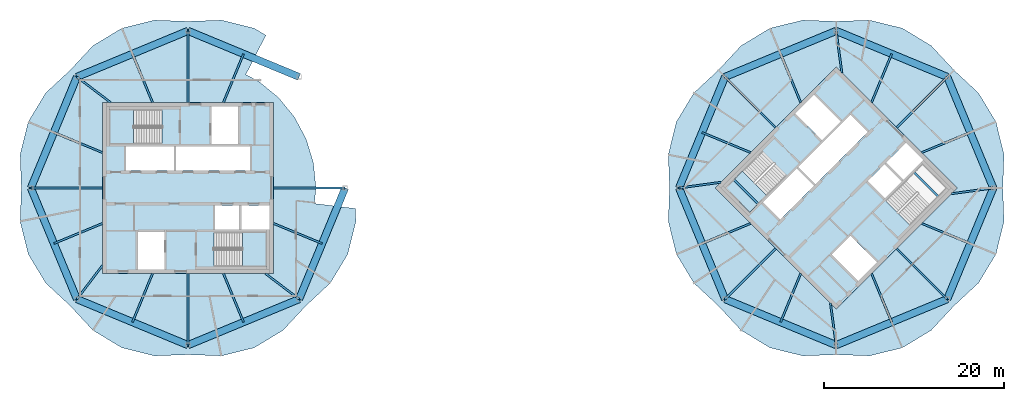
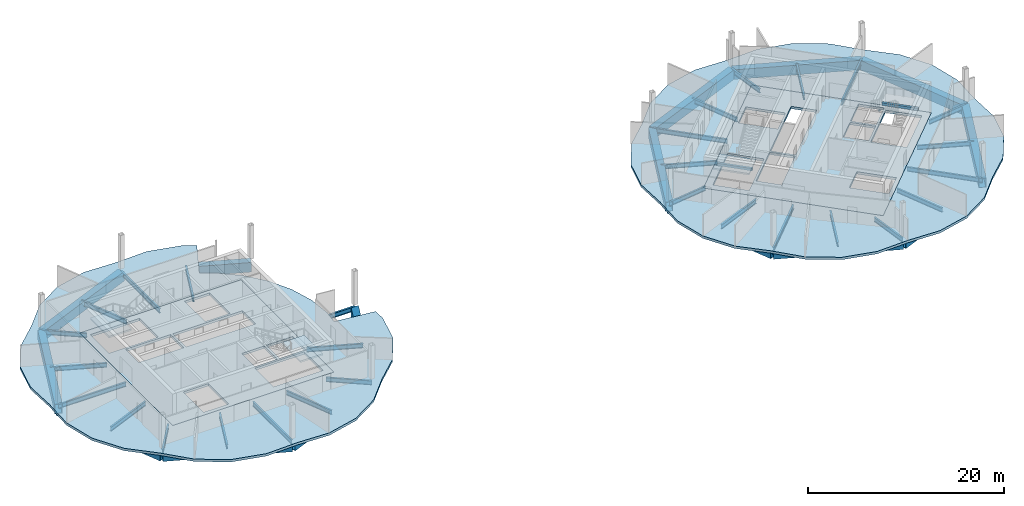
# One storey, part 3 of 11: 47 beams, 7 slabs, 3 elements without a shape of their own.
"""IFC4 building model written with IfcOpenShell, lengths in metres."""

import ifcopenshell
import ifcopenshell.guid

model = None  # the IFC model being written
_history = None  # IfcOwnerHistory: only IFC2X3 demands one
_inside = {}  # id of a spatial element -> (the spatial element, [elements in it])
_under = {}  # id of a project, library or spatial element -> (it, [spatial elements below it])
_declared = {}  # id of a project -> (the project, [libraries it declares])
_typed = {}  # id of a type object -> (the type object, [elements of that type])
_made_of = {}  # id of a material, layer set ... -> (it, [elements and type objects made of it])


def new_model(schema):
    """Start an empty IFC model of exactly this schema.

    Asked for "IFC4X3", IfcOpenShell would pick the latest addendum, in which some entities
    have other attributes; the version numbers below select the first issue.
    IFC2X3 requires an IfcOwnerHistory on every rooted entity: one is made here for all.
    """
    global model, _history
    if schema == "IFC4X3":
        model = ifcopenshell.file(schema_version=(4, 3, 0, 0))
    else:
        model = ifcopenshell.file(schema=schema)
    _inside.clear()
    _under.clear()
    _declared.clear()
    _typed.clear()
    _made_of.clear()
    _history = None
    if model.schema == "IFC2X3":
        org = make("IfcOrganization", Name="unknown")
        user = make(
            "IfcPersonAndOrganization",
            ThePerson=make("IfcPerson", FamilyName="unknown"),
            TheOrganization=org,
        )
        app = make(
            "IfcApplication",
            ApplicationDeveloper=org,
            Version="unknown",
            ApplicationFullName="unknown",
            ApplicationIdentifier="unknown",
        )
        _history = make(
            "IfcOwnerHistory",
            OwningUser=user,
            OwningApplication=app,
            ChangeAction="ADDED",
            CreationDate=0,
        )
    return model


def make(cls, **values):
    """One entity of the class cls with the attributes given. An attribute that is None is left unset."""
    return model.create_entity(
        cls, **{name: value for name, value in values.items() if value is not None}
    )


def rooted(cls, **values):
    """An entity with a GlobalId (a new one), such as an element, a storey or a relation."""
    return make(cls, GlobalId=ifcopenshell.guid.new(), OwnerHistory=_history, **values)


def si_unit(unit_type, name, prefix=None):
    """IfcSIUnit, for example si_unit("LENGTHUNIT", "METRE", prefix="MILLI")."""
    return make("IfcSIUnit", UnitType=unit_type, Prefix=prefix, Name=name)


def assignment(units):
    """IfcUnitAssignment: the units of a project."""
    return None if units is None else make("IfcUnitAssignment", Units=units)


def point(xyz):
    """IfcCartesianPoint."""
    return None if xyz is None else make("IfcCartesianPoint", Coordinates=xyz)


def direction(xyz):
    """IfcDirection."""
    return None if xyz is None else make("IfcDirection", DirectionRatios=xyz)


def frame(location, z_axis=None, x_axis=None):
    """IfcAxis2Placement3D, a coordinate frame: its origin and axes. An axis left out is left unset."""
    return make(
        "IfcAxis2Placement3D",
        Location=point(location),
        Axis=direction(z_axis),
        RefDirection=direction(x_axis),
    )


def frame_2d(location, x_axis=None):
    """IfcAxis2Placement2D, a coordinate frame in the plane: its origin and x axis."""
    return make(
        "IfcAxis2Placement2D", Location=point(location), RefDirection=direction(x_axis)
    )


def origin():
    """The frame at (0, 0, 0) with its axes left unset."""
    return frame((0.0, 0.0, 0.0))


def origin_2d():
    """The frame at (0, 0) in the plane with its x axis left unset."""
    return frame_2d((0.0, 0.0))


def place(relative_to, where):
    """IfcLocalPlacement: puts the frame where relative to a parent placement (None: the world)."""
    return make(
        "IfcLocalPlacement", PlacementRelTo=relative_to, RelativePlacement=where
    )


def context(
    kind, dimensions, precision=None, world=None, true_north=None, identifier=None
):
    """IfcGeometricRepresentationContext, for example the 3D "Model" context."""
    return make(
        "IfcGeometricRepresentationContext",
        ContextIdentifier=identifier,
        ContextType=kind,
        CoordinateSpaceDimension=dimensions,
        Precision=precision,
        WorldCoordinateSystem=world,
        TrueNorth=true_north,
    )


def subcontext(parent, identifier, kind, view, scale=None):
    """IfcGeometricRepresentationSubContext, for example "Body" below "Model"."""
    return make(
        "IfcGeometricRepresentationSubContext",
        ContextIdentifier=identifier,
        ContextType=kind,
        ParentContext=parent,
        TargetScale=scale,
        TargetView=view,
    )


def project(units=None, contexts=None):
    """IfcProject with its units and contexts."""
    return rooted(
        "IfcProject",
        Name="project",
        RepresentationContexts=contexts,
        UnitsInContext=assignment(units),
    )


def spatial(cls, under=None, at=None, **own):
    """A site, building, storey or space (cls), placed at a placement, below another one or the project."""
    s = rooted(cls, ObjectPlacement=at, **own)
    if under is not None:
        _under.setdefault(under.id(), (under, []))[1].append(s)
    return s


def polyline(points):
    """IfcPolyline through the points."""
    return make("IfcPolyline", Points=[point(p) for p in points])


def profile(cls, at=None, kind="AREA", **sizes):
    """A parametric profile (cls). Its sizes go by their IFC names, for example OverallWidth=200.0."""
    return make(cls, ProfileType=kind, Position=at, **sizes)


def rectangle(**sizes):
    """IfcRectangleProfileDef."""
    return profile("IfcRectangleProfileDef", **sizes)


def hollow_rectangle(**sizes):
    """IfcRectangleHollowProfileDef."""
    return profile("IfcRectangleHollowProfileDef", **sizes)


def i_section(**sizes):
    """IfcIShapeProfileDef."""
    return profile("IfcIShapeProfileDef", **sizes)


def outline(outer, holes=None, kind="AREA"):
    """IfcArbitraryClosedProfileDef: a profile drawn as a closed curve; with holes, ...WithVoids."""
    if holes is None:
        return make("IfcArbitraryClosedProfileDef", ProfileType=kind, OuterCurve=outer)
    return make(
        "IfcArbitraryProfileDefWithVoids",
        ProfileType=kind,
        OuterCurve=outer,
        InnerCurves=holes,
    )


def extrude(swept, where, along, depth):
    """IfcExtrudedAreaSolid: the profile swept, set in the frame where, extruded along a direction by depth."""
    return make(
        "IfcExtrudedAreaSolid",
        SweptArea=swept,
        Position=where,
        ExtrudedDirection=direction(along),
        Depth=depth,
    )


def shape(context_of_items, identifier, shape_type, items):
    """IfcShapeRepresentation: the items that make up one representation, for example the "Body"."""
    return make(
        "IfcShapeRepresentation",
        ContextOfItems=context_of_items,
        RepresentationIdentifier=identifier,
        RepresentationType=shape_type,
        Items=items,
    )


def material(Name=None, Category=None):
    """IfcMaterial."""
    return make("IfcMaterial", Name=Name, Category=Category)


def layer(
    of_material, thickness, ventilated=None, Name=None, Category=None, Priority=None
):
    """IfcMaterialLayer: one layer of a wall or slab, of a material (None: an air gap)."""
    return make(
        "IfcMaterialLayer",
        Material=of_material,
        LayerThickness=thickness,
        IsVentilated=ventilated,
        Name=Name,
        Category=Category,
        Priority=Priority,
    )


def layer_set(layers, Name=None):
    """IfcMaterialLayerSet."""
    return make("IfcMaterialLayerSet", MaterialLayers=layers, LayerSetName=Name)


def material_profile(
    of_material, cross_section, Name=None, Category=None, Priority=None
):
    """IfcMaterialProfile: a cross section and its material."""
    return make(
        "IfcMaterialProfile",
        Name=Name,
        Material=of_material,
        Profile=cross_section,
        Priority=Priority,
        Category=Category,
    )


def profile_set(profiles, Name=None, composite=None):
    """IfcMaterialProfileSet."""
    return make(
        "IfcMaterialProfileSet",
        Name=Name,
        MaterialProfiles=profiles,
        CompositeProfile=composite,
    )


def made_of(thing, what):
    """Note that an element or type object is made of a material, layer set ...; save() writes the relation."""
    if what is not None:
        _made_of.setdefault(what.id(), (what, []))[1].append(thing)
    return thing


def type_object(cls, material=None, **own):
    """A type object (cls), such as IfcWallType, which elements share."""
    return made_of(rooted(cls, **own), material)


def element(
    cls,
    number,
    at=None,
    inside=None,
    cuts=None,
    type_object=None,
    material=None,
    context=None,
    identifier="Body",
    shape_type=None,
    held_by="IfcProductDefinitionShape",
    body=None,
    shapes=None,
    **own,
):
    """One element of the class cls, such as IfcWall. Its Tag is "e" and its number.

    at: its placement. inside: the storey or other place that contains it. cuts: it is an
    opening in that element (IfcRelVoidsElement). A single representation is given by context,
    identifier, shape_type and body (its items); several are given by shapes. held_by: the class
    of the entity that holds the representations. save() writes the other relations.
    """
    e = rooted(cls, Tag="e%d" % number, ObjectPlacement=at, **own)
    if body is not None:
        shapes = [shape(context, identifier, shape_type, body)]
    if shapes is not None:
        e.Representation = make(held_by, Representations=shapes)
    if inside is not None:
        _inside.setdefault(inside.id(), (inside, []))[1].append(e)
    if cuts is not None:
        rooted(
            "IfcRelVoidsElement", RelatingBuildingElement=cuts, RelatedOpeningElement=e
        )
    if type_object is not None:
        _typed.setdefault(type_object.id(), (type_object, []))[1].append(e)
    return made_of(e, material)


def aggregate(whole, parts):
    """IfcRelAggregates: a whole, such as a stair, and the parts it consists of."""
    return rooted("IfcRelAggregates", RelatingObject=whole, RelatedObjects=parts)


def save(model, path):
    """Write the relations noted so far, then the file.

    IfcRelAggregates (storeys below a building ...), IfcRelContainedInSpatialStructure (elements
    in a storey), IfcRelDefinesByType, IfcRelAssociatesMaterial and IfcRelDeclares: one each for
    every whole, place, type object, material and project.
    """
    for whole, parts in _under.values():
        aggregate(whole, parts)
    for where, things in _inside.values():
        rooted(
            "IfcRelContainedInSpatialStructure",
            RelatedElements=things,
            RelatingStructure=where,
        )
    for kind, things in _typed.values():
        rooted("IfcRelDefinesByType", RelatedObjects=things, RelatingType=kind)
    for what, things in _made_of.values():
        rooted("IfcRelAssociatesMaterial", RelatedObjects=things, RelatingMaterial=what)
    for by, libraries in _declared.values():
        rooted("IfcRelDeclares", RelatingContext=by, RelatedDefinitions=libraries)
    model.write(path)


model = new_model("IFC4")

# Units and contexts
model_context = context("Model", 3, precision=1e-05, world=origin(), true_north=direction((0.0, 1.0)))
body_context = subcontext(model_context, "Body", "Model", "MODEL_VIEW")
ifc_project = project(units=[si_unit("LENGTHUNIT", "METRE"), si_unit("AREAUNIT", "SQUARE_METRE"), si_unit("VOLUMEUNIT", "CUBIC_METRE"), si_unit("PLANEANGLEUNIT", "RADIAN"), si_unit("MASSUNIT", "GRAM", prefix="KILO")], contexts=[model_context])

# Site, building, storey
site_placement = place(None, origin())
site = spatial("IfcSite", under=ifc_project, at=site_placement, CompositionType="ELEMENT")
building_placement = place(site_placement, origin())
building = spatial("IfcBuilding", under=site, at=building_placement, Name="Ogive Gate Towers", CompositionType="ELEMENT")
storey_placement = place(building_placement, frame((0.0, 0.0, 281.39990234375)))
storey = spatial("IfcBuildingStorey", under=building, at=storey_placement, Name="L66", CompositionType="ELEMENT", Elevation=281.39990234375)

# Beams
ifc_material_1 = material(Name="Steel SM460", Category="steel")
ifc_material_profile_1 = material_profile(ifc_material_1, hollow_rectangle(XDim=0.800048828125, YDim=1.199951171875, WallThickness=0.050048828125, at=origin_2d()), Name="BX 1200x800x50")
ifc_profile_set_1 = profile_set([ifc_material_profile_1], Name="Steel SM460")
beam_type_1 = type_object("IfcBeamType", Name="Edge girder BX 1200x800x50", PredefinedType="BEAM", material=ifc_profile_set_1)
for number, where, z_axis, x_axis, name in (
    (1, (-48.342529296875, -12.342529296875, -0.89990234375), (0.923876732551, -0.382690191996, 0.0), (0.382690191996, 0.923876732551, 0.0), "T1/L66/SBM015"),
    (2, (-36.0, -17.455078125, -0.89990234375), (0.923876732551, 0.382690191996, 0.0), (-0.382690191996, 0.923876732551, 0.0), "T1/L66/SBM016"),
    (3, (-23.657470703125, -12.342529296875, -0.89990234375), (0.382690191996, 0.923876732551, 0.0), (-0.923876732551, 0.382690191996, 0.0), "T1/L66/SBM017"),
    (4, (-23.657470703125, 12.342529296875, -0.89990234375), (-0.923876732551, 0.382690191996, 0.0), (-0.382690191996, -0.923876732551, 0.0), "T1/L66/SBM018"),
    (5, (-36.0, 17.455078125, -0.89990234375), (-0.923876732551, -0.382690191996, 0.0), (0.382690191996, -0.923876732551, 0.0), "T1/L66/SBM019"),
    (6, (-48.342529296875, 12.342529296875, -0.89990234375), (-0.382690191996, -0.923876732551, 0.0), (0.923876732551, -0.382690191996, 0.0), "T1/L66/SBM020"),
    (7, (-53.455078125, 0.0, -0.89990234375), (0.382690191996, -0.923876732551, 0.0), (0.923876732551, 0.382690191996, 0.0), "T1/L66/SBM021"),
    (8, (23.657470703125, -12.342529296875, -0.89990234375), (0.923876732551, -0.382690191996, 0.0), (0.382690191996, 0.923876732551, 0.0), "T2/L66/SBM017"),
    (9, (36.0, -17.455078125, -0.89990234375), (0.923876732551, 0.382690191996, 0.0), (-0.382690191996, 0.923876732551, 0.0), "T2/L66/SBM018"),
    (10, (48.342529296875, -12.342529296875, -0.89990234375), (0.382690191996, 0.923876732551, 0.0), (-0.923876732551, 0.382690191996, 0.0), "T2/L66/SBM019"),
    (11, (53.455078125, 0.0, -0.89990234375), (-0.382690191996, 0.923876732551, 0.0), (-0.923876732551, -0.382690191996, 0.0), "T2/L66/SBM020"),
    (12, (48.342529296875, 12.342529296875, -0.89990234375), (-0.923876732551, 0.382690191996, 0.0), (-0.382690191996, -0.923876732551, 0.0), "T2/L66/SBM021"),
    (13, (36.0, 17.455078125, -0.89990234375), (-0.923876732551, -0.382690191996, 0.0), (0.382690191996, -0.923876732551, 0.0), "T2/L66/SBM022"),
    (14, (23.657470703125, 12.342529296875, -0.89990234375), (-0.382690191996, -0.923876732551, 0.0), (0.923876732551, -0.382690191996, 0.0), "T2/L66/SBM023"),
    (15, (18.544921875, 0.0, -0.89990234375), (0.382690191996, -0.923876732551, 0.0), (0.923876732551, 0.382690191996, 0.0), "T2/L66/SBM024"),
):
    element("IfcBeam", number, at=place(storey_placement, frame(where, z_axis=z_axis, x_axis=x_axis)), inside=storey, type_object=beam_type_1, Name=name, PredefinedType="BEAM", context=body_context, shape_type="SweptSolid", body=[
        extrude(hollow_rectangle(XDim=0.800048828125, YDim=1.199951171875, WallThickness=0.050048828125, at=origin_2d()), origin(), (0.0, 0.0, 1.0), 13.359619140625),
    ])
ifc_material_2 = material(Name="Concrete C40/50", Category="concrete")
ifc_material_profile_2 = material_profile(ifc_material_2, rectangle(XDim=0.25, YDim=0.300048828125, at=origin_2d()), Name="RC 250x300")
ifc_profile_set_2 = profile_set([ifc_material_profile_2], Name="Concrete C40/50")
beam_type_2 = type_object("IfcBeamType", Name="Landing bearer RC 250x300", PredefinedType="BEAM", material=ifc_profile_set_2)
for number, where, z_axis, x_axis, name in (
    (16, (24.64111328125, 0.94482421875, 1.75), (0.707138693938, -0.707074866995, 0.0), (0.707074866995, 0.707138693938, 0.0), "T2 L66 stair 1 landing bearer 1"),
    (17, (47.35888671875, -0.94482421875, 1.75), (-0.707138693938, 0.707074866995, 0.0), (-0.707074866995, -0.707138693938, 0.0), "T2 L66 stair 2 landing bearer 1"),
):
    element("IfcBeam", number, at=place(storey_placement, frame(where, z_axis=z_axis, x_axis=x_axis)), inside=storey, type_object=beam_type_2, Name=name, PredefinedType="BEAM", context=body_context, shape_type="SweptSolid", body=[
        extrude(rectangle(XDim=0.25, YDim=0.300048828125, at=origin_2d()), origin(), (0.0, 0.0, 1.0), 3.824951171875),
    ])
ifc_material_3 = material(Name="Steel SM355", Category="steel")
ifc_material_profile_3 = material_profile(ifc_material_3, i_section(OverallWidth=0.2099609375, OverallDepth=0.550048828125, WebThickness=0.010986328125, FlangeThickness=0.01708984375, FilletRadius=0.02392578125, at=origin_2d()), Name="IPE 550")
ifc_profile_set_3 = profile_set([ifc_material_profile_3], Name="Steel SM355")
beam_type_3 = type_object("IfcBeamType", Name="Radial floor beam IPE 550", PredefinedType="BEAM", material=ifc_profile_set_3)
beam_1_placement = place(storey_placement, frame((-45.5, -8.60009765625, -0.574951171875), z_axis=(-0.604851417257, -0.796338347087, 0.0), x_axis=(0.796338347087, -0.604851417257, 0.0)))
element("IfcBeam", 18, at=beam_1_placement, inside=storey, type_object=beam_type_3, Name="T1/L66/SBM001", PredefinedType="BEAM", context=body_context, shape_type="SweptSolid", body=[
    extrude(i_section(OverallWidth=0.2099609375, OverallDepth=0.550048828125, WebThickness=0.010986328125, FlangeThickness=0.01708984375, FilletRadius=0.02392578125, at=origin_2d()), origin(), (0.0, 0.0, 1.0), 4.699462890625),
])
beam_2_placement = place(storey_placement, frame((-39.93505859375, -9.5, -0.574951171875), z_axis=(-0.382701102209, -0.923872213225, 0.0), x_axis=(0.923872213225, -0.382701102209, 0.0)))
element("IfcBeam", 19, at=beam_2_placement, inside=storey, type_object=beam_type_3, Name="T1/L66/SBM002", PredefinedType="BEAM", context=body_context, shape_type="SweptSolid", body=[
    extrude(i_section(OverallWidth=0.2099609375, OverallDepth=0.550048828125, WebThickness=0.010986328125, FlangeThickness=0.01708984375, FilletRadius=0.02392578125, at=origin_2d()), origin(), (0.0, 0.0, 1.0), 5.843505859375),
])
beam_3_placement = place(storey_placement, frame((-36.0, -9.5, -0.574951171875), z_axis=(0.0, -1.0, 0.0), x_axis=(1.0, 0.0, 0.0)))
element("IfcBeam", 20, at=beam_3_placement, inside=storey, type_object=beam_type_3, Name="T1/L66/SBM003", PredefinedType="BEAM", context=body_context, shape_type="SweptSolid", body=[
    extrude(i_section(OverallWidth=0.2099609375, OverallDepth=0.550048828125, WebThickness=0.010986328125, FlangeThickness=0.01708984375, FilletRadius=0.02392578125, at=origin_2d()), origin(), (0.0, 0.0, 1.0), 7.955078125),
])
beam_4_placement = place(storey_placement, frame((-32.06494140625, -9.5, -0.574951171875), z_axis=(0.382701102209, -0.923872213225, 0.0), x_axis=(0.923872213225, 0.382701102209, 0.0)))
element("IfcBeam", 21, at=beam_4_placement, inside=storey, type_object=beam_type_3, Name="T1/L66/SBM004", PredefinedType="BEAM", context=body_context, shape_type="SweptSolid", body=[
    extrude(i_section(OverallWidth=0.2099609375, OverallDepth=0.550048828125, WebThickness=0.010986328125, FlangeThickness=0.01708984375, FilletRadius=0.02392578125, at=origin_2d()), origin(), (0.0, 0.0, 1.0), 5.843505859375),
])
beam_5_placement = place(storey_placement, frame((-27.39990234375, -9.5, -0.574951171875), z_axis=(0.796338347087, -0.604851417257, 0.0), x_axis=(0.604851417257, 0.796338347087, 0.0)))
element("IfcBeam", 22, at=beam_5_placement, inside=storey, type_object=beam_type_3, Name="T1/L66/SBM005", PredefinedType="BEAM", context=body_context, shape_type="SweptSolid", body=[
    extrude(i_section(OverallWidth=0.2099609375, OverallDepth=0.550048828125, WebThickness=0.010986328125, FlangeThickness=0.01708984375, FilletRadius=0.02392578125, at=origin_2d()), origin(), (0.0, 0.0, 1.0), 4.699462890625),
])
beam_6_placement = place(storey_placement, frame((-26.5, -3.93505859375, -0.574951171875), z_axis=(0.923872213225, -0.382701102209, 0.0), x_axis=(0.382701102209, 0.923872213225, 0.0)))
element("IfcBeam", 23, at=beam_6_placement, inside=storey, type_object=beam_type_3, Name="T1/L66/SBM006", PredefinedType="BEAM", context=body_context, shape_type="SweptSolid", body=[
    extrude(i_section(OverallWidth=0.2099609375, OverallDepth=0.550048828125, WebThickness=0.010986328125, FlangeThickness=0.01708984375, FilletRadius=0.02392578125, at=origin_2d()), origin(), (0.0, 0.0, 1.0), 5.843505859375),
])
beam_7_placement = place(storey_placement, frame((-26.5, 0.0, -0.574951171875), z_axis=(1.0, 0.0, 0.0), x_axis=(0.0, 1.0, 0.0)))
element("IfcBeam", 24, at=beam_7_placement, inside=storey, type_object=beam_type_3, Name="T1/L66/SBM007", PredefinedType="BEAM", context=body_context, shape_type="SweptSolid", body=[
    extrude(i_section(OverallWidth=0.2099609375, OverallDepth=0.550048828125, WebThickness=0.010986328125, FlangeThickness=0.01708984375, FilletRadius=0.02392578125, at=origin_2d()), origin(), (0.0, 0.0, 1.0), 7.955078125),
])
beam_8_placement = place(storey_placement, frame((-32.06494140625, 9.5, -0.574951171875), z_axis=(0.382701102209, 0.923872213225, 0.0), x_axis=(-0.923872213225, 0.382701102209, 0.0)))
element("IfcBeam", 25, at=beam_8_placement, inside=storey, type_object=beam_type_3, Name="T1/L66/SBM008", PredefinedType="BEAM", context=body_context, shape_type="SweptSolid", body=[
    extrude(i_section(OverallWidth=0.2099609375, OverallDepth=0.550048828125, WebThickness=0.010986328125, FlangeThickness=0.01708984375, FilletRadius=0.02392578125, at=origin_2d()), origin(), (0.0, 0.0, 1.0), 5.843505859375),
])
beam_9_placement = place(storey_placement, frame((-36.0, 9.5, -0.574951171875), z_axis=(0.0, 1.0, 0.0), x_axis=(-1.0, 0.0, 0.0)))
element("IfcBeam", 26, at=beam_9_placement, inside=storey, type_object=beam_type_3, Name="T1/L66/SBM009", PredefinedType="BEAM", context=body_context, shape_type="SweptSolid", body=[
    extrude(i_section(OverallWidth=0.2099609375, OverallDepth=0.550048828125, WebThickness=0.010986328125, FlangeThickness=0.01708984375, FilletRadius=0.02392578125, at=origin_2d()), origin(), (0.0, 0.0, 1.0), 7.955078125),
])
beam_10_placement = place(storey_placement, frame((-39.93505859375, 9.5, -0.574951171875), z_axis=(-0.382701102209, 0.923872213225, 0.0), x_axis=(-0.923872213225, -0.382701102209, 0.0)))
element("IfcBeam", 27, at=beam_10_placement, inside=storey, type_object=beam_type_3, Name="T1/L66/SBM010", PredefinedType="BEAM", context=body_context, shape_type="SweptSolid", body=[
    extrude(i_section(OverallWidth=0.2099609375, OverallDepth=0.550048828125, WebThickness=0.010986328125, FlangeThickness=0.01708984375, FilletRadius=0.02392578125, at=origin_2d()), origin(), (0.0, 0.0, 1.0), 5.843505859375),
])
beam_11_placement = place(storey_placement, frame((-44.60009765625, 9.5, -0.574951171875), z_axis=(-0.796338347087, 0.604851417257, 0.0), x_axis=(-0.604851417257, -0.796338347087, 0.0)))
element("IfcBeam", 28, at=beam_11_placement, inside=storey, type_object=beam_type_3, Name="T1/L66/SBM011", PredefinedType="BEAM", context=body_context, shape_type="SweptSolid", body=[
    extrude(i_section(OverallWidth=0.2099609375, OverallDepth=0.550048828125, WebThickness=0.010986328125, FlangeThickness=0.01708984375, FilletRadius=0.02392578125, at=origin_2d()), origin(), (0.0, 0.0, 1.0), 4.699462890625),
])
beam_12_placement = place(storey_placement, frame((-45.5, 3.93505859375, -0.574951171875), z_axis=(-0.923872213225, 0.382701102209, 0.0), x_axis=(-0.382701102209, -0.923872213225, 0.0)))
element("IfcBeam", 29, at=beam_12_placement, inside=storey, type_object=beam_type_3, Name="T1/L66/SBM012", PredefinedType="BEAM", context=body_context, shape_type="SweptSolid", body=[
    extrude(i_section(OverallWidth=0.2099609375, OverallDepth=0.550048828125, WebThickness=0.010986328125, FlangeThickness=0.01708984375, FilletRadius=0.02392578125, at=origin_2d()), origin(), (0.0, 0.0, 1.0), 5.843505859375),
])
beam_13_placement = place(storey_placement, frame((-45.5, 0.0, -0.574951171875), z_axis=(-1.0, 0.0, 0.0), x_axis=(0.0, -1.0, 0.0)))
element("IfcBeam", 30, at=beam_13_placement, inside=storey, type_object=beam_type_3, Name="T1/L66/SBM013", PredefinedType="BEAM", context=body_context, shape_type="SweptSolid", body=[
    extrude(i_section(OverallWidth=0.2099609375, OverallDepth=0.550048828125, WebThickness=0.010986328125, FlangeThickness=0.01708984375, FilletRadius=0.02392578125, at=origin_2d()), origin(), (0.0, 0.0, 1.0), 7.955078125),
])
beam_14_placement = place(storey_placement, frame((-45.5, -3.93505859375, -0.574951171875), z_axis=(-0.923872213225, -0.382701102209, 0.0), x_axis=(0.382701102209, -0.923872213225, 0.0)))
element("IfcBeam", 31, at=beam_14_placement, inside=storey, type_object=beam_type_3, Name="T1/L66/SBM014", PredefinedType="BEAM", context=body_context, shape_type="SweptSolid", body=[
    extrude(i_section(OverallWidth=0.2099609375, OverallDepth=0.550048828125, WebThickness=0.010986328125, FlangeThickness=0.01708984375, FilletRadius=0.02392578125, at=origin_2d()), origin(), (0.0, 0.0, 1.0), 5.843505859375),
])
beam_15_placement = place(storey_placement, frame((29.282470703125, -6.717529296875, -0.574951171875), z_axis=(-0.707106781187, -0.707106781187, 0.0), x_axis=(0.707106781187, -0.707106781187, 0.0)))
element("IfcBeam", 32, at=beam_15_placement, inside=storey, type_object=beam_type_3, Name="T2/L66/SBM001", PredefinedType="BEAM", context=body_context, shape_type="SweptSolid", body=[
    extrude(i_section(OverallWidth=0.2099609375, OverallDepth=0.550048828125, WebThickness=0.010986328125, FlangeThickness=0.01708984375, FilletRadius=0.02392578125, at=origin_2d()), origin(), (0.0, 0.0, 1.0), 7.954833984375),
])
beam_16_placement = place(storey_placement, frame((32.06494140625, -9.5, -0.574951171875), z_axis=(-0.382701102209, -0.923872213225, 0.0), x_axis=(0.923872213225, -0.382701102209, 0.0)))
element("IfcBeam", 33, at=beam_16_placement, inside=storey, type_object=beam_type_3, Name="T2/L66/SBM002", PredefinedType="BEAM", context=body_context, shape_type="SweptSolid", body=[
    extrude(i_section(OverallWidth=0.2099609375, OverallDepth=0.550048828125, WebThickness=0.010986328125, FlangeThickness=0.01708984375, FilletRadius=0.02392578125, at=origin_2d()), origin(), (0.0, 0.0, 1.0), 5.843505859375),
])
beam_17_placement = place(storey_placement, frame((35.363525390625, -12.798583984375, -0.574951171875), z_axis=(0.135426145155, -0.99078744401, 0.0), x_axis=(0.99078744401, 0.135426145155, 0.0)))
element("IfcBeam", 34, at=beam_17_placement, inside=storey, type_object=beam_type_3, Name="T2/L66/SBM003", PredefinedType="BEAM", context=body_context, shape_type="SweptSolid", body=[
    extrude(i_section(OverallWidth=0.2099609375, OverallDepth=0.550048828125, WebThickness=0.010986328125, FlangeThickness=0.01708984375, FilletRadius=0.02392578125, at=origin_2d()), origin(), (0.0, 0.0, 1.0), 4.69970703125),
])
beam_18_placement = place(storey_placement, frame((39.93505859375, -9.5, -0.574951171875), z_axis=(0.382701102209, -0.923872213225, 0.0), x_axis=(0.923872213225, 0.382701102209, 0.0)))
element("IfcBeam", 35, at=beam_18_placement, inside=storey, type_object=beam_type_3, Name="T2/L66/SBM004", PredefinedType="BEAM", context=body_context, shape_type="SweptSolid", body=[
    extrude(i_section(OverallWidth=0.2099609375, OverallDepth=0.550048828125, WebThickness=0.010986328125, FlangeThickness=0.01708984375, FilletRadius=0.02392578125, at=origin_2d()), origin(), (0.0, 0.0, 1.0), 5.843505859375),
])
beam_19_placement = place(storey_placement, frame((42.717529296875, -6.717529296875, -0.574951171875), z_axis=(0.707106781187, -0.707106781187, 0.0), x_axis=(0.707106781187, 0.707106781187, 0.0)))
element("IfcBeam", 36, at=beam_19_placement, inside=storey, type_object=beam_type_3, Name="T2/L66/SBM005", PredefinedType="BEAM", context=body_context, shape_type="SweptSolid", body=[
    extrude(i_section(OverallWidth=0.2099609375, OverallDepth=0.550048828125, WebThickness=0.010986328125, FlangeThickness=0.01708984375, FilletRadius=0.02392578125, at=origin_2d()), origin(), (0.0, 0.0, 1.0), 7.954833984375),
])
beam_20_placement = place(storey_placement, frame((45.5, -3.93505859375, -0.574951171875), z_axis=(0.923872213225, -0.382701102209, 0.0), x_axis=(0.382701102209, 0.923872213225, 0.0)))
element("IfcBeam", 37, at=beam_20_placement, inside=storey, type_object=beam_type_3, Name="T2/L66/SBM006", PredefinedType="BEAM", context=body_context, shape_type="SweptSolid", body=[
    extrude(i_section(OverallWidth=0.2099609375, OverallDepth=0.550048828125, WebThickness=0.010986328125, FlangeThickness=0.01708984375, FilletRadius=0.02392578125, at=origin_2d()), origin(), (0.0, 0.0, 1.0), 5.843505859375),
])
beam_21_placement = place(storey_placement, frame((48.798583984375, -0.636474609375, -0.574951171875), z_axis=(0.99078744401, 0.135426145155, 0.0), x_axis=(-0.135426145155, 0.99078744401, 0.0)))
element("IfcBeam", 38, at=beam_21_placement, inside=storey, type_object=beam_type_3, Name="T2/L66/SBM007", PredefinedType="BEAM", context=body_context, shape_type="SweptSolid", body=[
    extrude(i_section(OverallWidth=0.2099609375, OverallDepth=0.550048828125, WebThickness=0.010986328125, FlangeThickness=0.01708984375, FilletRadius=0.02392578125, at=origin_2d()), origin(), (0.0, 0.0, 1.0), 4.69970703125),
])
beam_22_placement = place(storey_placement, frame((45.5, 3.93505859375, -0.574951171875), z_axis=(0.923872213225, 0.382701102209, 0.0), x_axis=(-0.382701102209, 0.923872213225, 0.0)))
element("IfcBeam", 39, at=beam_22_placement, inside=storey, type_object=beam_type_3, Name="T2/L66/SBM008", PredefinedType="BEAM", context=body_context, shape_type="SweptSolid", body=[
    extrude(i_section(OverallWidth=0.2099609375, OverallDepth=0.550048828125, WebThickness=0.010986328125, FlangeThickness=0.01708984375, FilletRadius=0.02392578125, at=origin_2d()), origin(), (0.0, 0.0, 1.0), 5.843505859375),
])
beam_23_placement = place(storey_placement, frame((42.717529296875, 6.717529296875, -0.574951171875), z_axis=(0.707106781187, 0.707106781187, 0.0), x_axis=(-0.707106781187, 0.707106781187, 0.0)))
element("IfcBeam", 40, at=beam_23_placement, inside=storey, type_object=beam_type_3, Name="T2/L66/SBM009", PredefinedType="BEAM", context=body_context, shape_type="SweptSolid", body=[
    extrude(i_section(OverallWidth=0.2099609375, OverallDepth=0.550048828125, WebThickness=0.010986328125, FlangeThickness=0.01708984375, FilletRadius=0.02392578125, at=origin_2d()), origin(), (0.0, 0.0, 1.0), 7.954833984375),
])
beam_24_placement = place(storey_placement, frame((39.93505859375, 9.5, -0.574951171875), z_axis=(0.382701102209, 0.923872213225, 0.0), x_axis=(-0.923872213225, 0.382701102209, 0.0)))
element("IfcBeam", 41, at=beam_24_placement, inside=storey, type_object=beam_type_3, Name="T2/L66/SBM010", PredefinedType="BEAM", context=body_context, shape_type="SweptSolid", body=[
    extrude(i_section(OverallWidth=0.2099609375, OverallDepth=0.550048828125, WebThickness=0.010986328125, FlangeThickness=0.01708984375, FilletRadius=0.02392578125, at=origin_2d()), origin(), (0.0, 0.0, 1.0), 5.843505859375),
])
beam_25_placement = place(storey_placement, frame((36.636474609375, 12.798583984375, -0.574951171875), z_axis=(-0.135426145155, 0.99078744401, 0.0), x_axis=(-0.99078744401, -0.135426145155, 0.0)))
element("IfcBeam", 42, at=beam_25_placement, inside=storey, type_object=beam_type_3, Name="T2/L66/SBM011", PredefinedType="BEAM", context=body_context, shape_type="SweptSolid", body=[
    extrude(i_section(OverallWidth=0.2099609375, OverallDepth=0.550048828125, WebThickness=0.010986328125, FlangeThickness=0.01708984375, FilletRadius=0.02392578125, at=origin_2d()), origin(), (0.0, 0.0, 1.0), 4.69970703125),
])
beam_26_placement = place(storey_placement, frame((32.06494140625, 9.5, -0.574951171875), z_axis=(-0.382701102209, 0.923872213225, 0.0), x_axis=(-0.923872213225, -0.382701102209, 0.0)))
element("IfcBeam", 43, at=beam_26_placement, inside=storey, type_object=beam_type_3, Name="T2/L66/SBM012", PredefinedType="BEAM", context=body_context, shape_type="SweptSolid", body=[
    extrude(i_section(OverallWidth=0.2099609375, OverallDepth=0.550048828125, WebThickness=0.010986328125, FlangeThickness=0.01708984375, FilletRadius=0.02392578125, at=origin_2d()), origin(), (0.0, 0.0, 1.0), 5.843505859375),
])
beam_27_placement = place(storey_placement, frame((29.282470703125, 6.717529296875, -0.574951171875), z_axis=(-0.707106781187, 0.707106781187, 0.0), x_axis=(-0.707106781187, -0.707106781187, 0.0)))
element("IfcBeam", 44, at=beam_27_placement, inside=storey, type_object=beam_type_3, Name="T2/L66/SBM013", PredefinedType="BEAM", context=body_context, shape_type="SweptSolid", body=[
    extrude(i_section(OverallWidth=0.2099609375, OverallDepth=0.550048828125, WebThickness=0.010986328125, FlangeThickness=0.01708984375, FilletRadius=0.02392578125, at=origin_2d()), origin(), (0.0, 0.0, 1.0), 7.954833984375),
])
beam_28_placement = place(storey_placement, frame((26.5, 3.93505859375, -0.574951171875), z_axis=(-0.923872213225, 0.382701102209, 0.0), x_axis=(-0.382701102209, -0.923872213225, 0.0)))
element("IfcBeam", 45, at=beam_28_placement, inside=storey, type_object=beam_type_3, Name="T2/L66/SBM014", PredefinedType="BEAM", context=body_context, shape_type="SweptSolid", body=[
    extrude(i_section(OverallWidth=0.2099609375, OverallDepth=0.550048828125, WebThickness=0.010986328125, FlangeThickness=0.01708984375, FilletRadius=0.02392578125, at=origin_2d()), origin(), (0.0, 0.0, 1.0), 5.843505859375),
])
beam_29_placement = place(storey_placement, frame((23.201416015625, 0.636474609375, -0.574951171875), z_axis=(-0.99078744401, -0.135426145155, 0.0), x_axis=(0.135426145155, -0.99078744401, 0.0)))
element("IfcBeam", 46, at=beam_29_placement, inside=storey, type_object=beam_type_3, Name="T2/L66/SBM015", PredefinedType="BEAM", context=body_context, shape_type="SweptSolid", body=[
    extrude(i_section(OverallWidth=0.2099609375, OverallDepth=0.550048828125, WebThickness=0.010986328125, FlangeThickness=0.01708984375, FilletRadius=0.02392578125, at=origin_2d()), origin(), (0.0, 0.0, 1.0), 4.69970703125),
])
beam_30_placement = place(storey_placement, frame((26.5, -3.93505859375, -0.574951171875), z_axis=(-0.923872213225, -0.382701102209, 0.0), x_axis=(0.382701102209, -0.923872213225, 0.0)))
element("IfcBeam", 47, at=beam_30_placement, inside=storey, type_object=beam_type_3, Name="T2/L66/SBM016", PredefinedType="BEAM", context=body_context, shape_type="SweptSolid", body=[
    extrude(i_section(OverallWidth=0.2099609375, OverallDepth=0.550048828125, WebThickness=0.010986328125, FlangeThickness=0.01708984375, FilletRadius=0.02392578125, at=origin_2d()), origin(), (0.0, 0.0, 1.0), 5.843505859375),
])

# Slabs
ifc_layer_1 = layer(ifc_material_2, 0.300048828125)
ifc_layer_set_1 = layer_set([ifc_layer_1], Name="Core slab C40/50 300 mm")
slab_type_1 = type_object("IfcSlabType", Name="Core slab C40/50 300 mm", PredefinedType="FLOOR", material=ifc_layer_set_1)
slab_1_placement = place(storey_placement, frame((0.0, 0.0, -0.2998046875)))
element("IfcSlab", 48, at=slab_1_placement, inside=storey, type_object=slab_type_1, Name="T1 L66 core slab", PredefinedType="FLOOR", context=body_context, shape_type="SweptSolid", body=[
    extrude(outline(polyline([(-45.5, -9.5), (-45.5, 9.5), (-26.5, 9.5), (-26.5, -9.5), (-45.5, -9.5)]), holes=[polyline([(-42.875, 1.925048828125), (-37.574951171875, 1.925048828125), (-37.574951171875, 4.625), (-42.875, 4.625), (-42.875, 1.925048828125)]), polyline([(-37.324951171875, 4.625), (-37.324951171875, 1.925048828125), (-29.125, 1.925048828125), (-29.125, 4.625), (-37.324951171875, 4.625)]), polyline([(-30.324951171875, -1.925048828125), (-32.97509765625, -1.925048828125), (-32.97509765625, -4.625), (-30.324951171875, -4.625), (-30.324951171875, -1.925048828125)]), polyline([(-26.949951171875, -4.625), (-26.949951171875, -1.925048828125), (-30.074951171875, -1.925048828125), (-30.074951171875, -4.625), (-26.949951171875, -4.625)]), polyline([(-33.375, 4.875), (-30.425048828125, 4.875), (-30.425048828125, 9.050048828125), (-33.375, 9.050048828125), (-33.375, 4.875)]), polyline([(-41.574951171875, -4.875), (-41.574951171875, -9.050048828125), (-38.625, -9.050048828125), (-38.625, -4.875), (-41.574951171875, -4.875)]), polyline([(-44.699951171875, 4.875), (-38.885009765625, 4.875), (-38.885009765625, 8.699951171875), (-44.699951171875, 8.699951171875), (-44.699951171875, 4.875)]), polyline([(-27.300048828125, -8.699951171875), (-27.300048828125, -4.875), (-33.114990234375, -4.875), (-33.114990234375, -8.699951171875), (-27.300048828125, -8.699951171875)])]), origin(), (0.0, 0.0, 1.0), 0.2998046875),
])
slab_2_placement = place(storey_placement, frame((0.0, 0.0, -0.2998046875)))
element("IfcSlab", 49, at=slab_2_placement, inside=storey, type_object=slab_type_1, Name="T2 L66 core slab", PredefinedType="FLOOR", context=body_context, shape_type="SweptSolid", body=[
    extrude(outline(polyline([(36.0, -13.43505859375), (22.56494140625, 0.0), (36.0, 13.43505859375), (49.43505859375, 0.0), (36.0, -13.43505859375)]), holes=[polyline([(29.777587890625, -3.500244140625), (33.525146484375, 0.24755859375), (31.615966796875, 2.15673828125), (27.868408203125, -1.591064453125), (29.777587890625, -3.500244140625)]), polyline([(31.792724609375, 2.33349609375), (33.701904296875, 0.42431640625), (39.500244140625, 6.222412109375), (37.591064453125, 8.131591796875), (31.792724609375, 2.33349609375)]), polyline([(41.3740234375, 2.651611328125), (39.500244140625, 0.77783203125), (41.409423828125, -1.13134765625), (43.283203125, 0.742431640625), (41.3740234375, 2.651611328125)]), polyline([(45.669677734375, 3.12890625), (43.760498046875, 5.0380859375), (41.55078125, 2.828369140625), (43.4599609375, 0.919189453125), (45.669677734375, 3.12890625)]), polyline([(34.408935546875, 5.30322265625), (36.4951171875, 7.389404296875), (33.542724609375, 10.34130859375), (31.456787109375, 8.255615234375), (34.408935546875, 5.30322265625)]), polyline([(35.5048828125, -7.389404296875), (38.457275390625, -10.34130859375), (40.543212890625, -8.255615234375), (37.591064453125, -5.30322265625), (35.5048828125, -7.389404296875)]), polyline([(26.40087890625, -2.70458984375), (30.512939453125, 1.406982421875), (27.80810546875, 4.11181640625), (23.6962890625, 0.0), (26.40087890625, -2.70458984375)]), polyline([(48.3037109375, 0.0), (45.59912109375, 2.70458984375), (41.487060546875, -1.406982421875), (44.19189453125, -4.11181640625), (48.3037109375, 0.0)])]), origin(), (0.0, 0.0, 1.0), 0.2998046875),
])
ifc_material_4 = material(Name="Concrete C35/45", Category="concrete")
ifc_layer_2 = layer(ifc_material_4, 0.300048828125)
ifc_layer_set_2 = layer_set([ifc_layer_2], Name="Floor slab 300")
slab_type_2 = type_object("IfcSlabType", Name="Floor slab 300", PredefinedType="FLOOR", material=ifc_layer_set_2)
slab_3_placement = place(storey_placement, frame((0.0, 0.0, -0.2998046875)))
element("IfcSlab", 50, at=slab_3_placement, inside=storey, type_object=slab_type_2, Name="T1/L66/SSL001", PredefinedType="FLOOR", context=body_context, shape_type="SweptSolid", body=[
    extrude(outline(polyline([(-18.252197265625, -7.351318359375), (-17.355224609375, -3.708740234375), (-17.406982421875, -2.282958984375), (-21.959716796875, -1.723876953125), (-21.7900390625, 0.0), (-22.06298828125, 2.772216796875), (-22.87158203125, 5.43798828125), (-24.184814453125, 7.89453125), (-25.951904296875, 10.048095703125), (-28.10546875, 11.815185546875), (-29.57861328125, 12.602783203125), (-27.35546875, 16.965576171875), (-25.438720703125, 15.80615234375), (-28.648681640625, 17.747802734375), (-32.291259765625, 18.644775390625), (-36.0, 18.510009765625), (-39.708740234375, 18.644775390625), (-43.351318359375, 17.747802734375), (-46.561279296875, 15.80615234375), (-49.088623046875, 13.088623046875), (-51.80615234375, 10.561279296875), (-53.747802734375, 7.351318359375), (-54.644775390625, 3.708740234375), (-54.510009765625, 0.0), (-54.644775390625, -3.708740234375), (-53.747802734375, -7.351318359375), (-51.80615234375, -10.561279296875), (-49.088623046875, -13.088623046875), (-46.561279296875, -15.80615234375), (-43.351318359375, -17.747802734375), (-39.708740234375, -18.644775390625), (-36.0, -18.510009765625), (-32.291259765625, -18.644775390625), (-28.648681640625, -17.747802734375), (-25.438720703125, -15.80615234375), (-22.911376953125, -13.088623046875), (-20.19384765625, -10.561279296875), (-18.252197265625, -7.351318359375)]), holes=[polyline([(-26.5, -9.5), (-45.5, -9.5), (-45.5, 9.5), (-26.5, 9.5), (-26.5, -9.5)])]), origin(), (0.0, 0.0, 1.0), 0.2998046875),
])
slab_4_placement = place(storey_placement, frame((0.0, 0.0, -0.2998046875)))
element("IfcSlab", 51, at=slab_4_placement, inside=storey, type_object=slab_type_2, Name="T2/L66/SSL001", PredefinedType="FLOOR", context=body_context, shape_type="SweptSolid", body=[
    extrude(outline(polyline([(54.644775390625, -3.708740234375), (54.510009765625, 0.0), (54.644775390625, 3.708740234375), (53.747802734375, 7.351318359375), (51.80615234375, 10.561279296875), (49.088623046875, 13.088623046875), (46.561279296875, 15.80615234375), (43.351318359375, 17.747802734375), (39.708740234375, 18.644775390625), (36.0, 18.510009765625), (32.291259765625, 18.644775390625), (28.648681640625, 17.747802734375), (25.438720703125, 15.80615234375), (22.911376953125, 13.088623046875), (20.19384765625, 10.561279296875), (18.252197265625, 7.351318359375), (17.355224609375, 3.708740234375), (17.489990234375, 0.0), (17.355224609375, -3.708740234375), (18.252197265625, -7.351318359375), (20.19384765625, -10.561279296875), (22.911376953125, -13.088623046875), (25.438720703125, -15.80615234375), (28.648681640625, -17.747802734375), (32.291259765625, -18.644775390625), (36.0, -18.510009765625), (39.708740234375, -18.644775390625), (43.351318359375, -17.747802734375), (46.561279296875, -15.80615234375), (49.088623046875, -13.088623046875), (51.80615234375, -10.561279296875), (53.747802734375, -7.351318359375), (54.644775390625, -3.708740234375)]), holes=[polyline([(49.43505859375, 0.0), (36.0, -13.43505859375), (22.56494140625, 0.0), (36.0, 13.43505859375), (49.43505859375, 0.0)])]), origin(), (0.0, 0.0, 1.0), 0.2998046875),
])

# Stair, slab
stair_type = type_object("IfcStairType", Name="Escape stair 1840 wide", PredefinedType="HALF_TURN_STAIR", material=ifc_material_2)
stair_1_placement = place(storey_placement, origin())
stair_1 = element("IfcStair", 52, at=stair_1_placement, inside=storey, type_object=stair_type, Name="L66 Escape stair 1", PredefinedType="HALF_TURN_STAIR")
ifc_layer_3 = layer(ifc_material_2, 0.199951171875)
ifc_layer_set_3 = layer_set([ifc_layer_3], Name="Stair landing 200 mm")
slab_type_3 = type_object("IfcSlabType", Name="Stair landing 200 mm", PredefinedType="LANDING", material=ifc_layer_set_3)
slab_5_placement = place(storey_placement, frame((0.0, 0.0, 1.900146484375)))
slab_5 = element("IfcSlab", 53, at=slab_5_placement, type_object=slab_type_3, Name="ST1 landing 1", PredefinedType="LANDING", context=body_context, shape_type="SweptSolid", body=[
    extrude(outline(polyline([(-42.027587890625, 8.699951171875), (-44.699951171875, 8.699951171875), (-44.699951171875, 4.875), (-42.027587890625, 4.875), (-42.027587890625, 8.699951171875)])), origin(), (0.0, 0.0, 1.0), 0.199951171875),
])
aggregate(stair_1, [slab_5])

stair_2_placement = place(storey_placement, origin())
stair_2 = element("IfcStair", 54, at=stair_2_placement, inside=storey, type_object=stair_type, Name="L66 Escape stair 2", PredefinedType="HALF_TURN_STAIR")
slab_6_placement = place(storey_placement, frame((0.0, 0.0, 1.900146484375)))
slab_6 = element("IfcSlab", 55, at=slab_6_placement, type_object=slab_type_3, Name="ST2 landing 1", PredefinedType="LANDING", context=body_context, shape_type="SweptSolid", body=[
    extrude(outline(polyline([(-29.972412109375, -8.699951171875), (-27.300048828125, -8.699951171875), (-27.300048828125, -4.875), (-29.972412109375, -4.875), (-29.972412109375, -8.699951171875)])), origin(), (0.0, 0.0, 1.0), 0.199951171875),
])
aggregate(stair_2, [slab_6])

stair_3_placement = place(storey_placement, origin())
stair_3 = element("IfcStair", 56, at=stair_3_placement, inside=storey, type_object=stair_type, Name="L66 Escape stair 1", PredefinedType="HALF_TURN_STAIR")
slab_7_placement = place(storey_placement, frame((0.0, 0.0, 1.900146484375)))
slab_7 = element("IfcSlab", 57, at=slab_7_placement, type_object=slab_type_3, Name="ST1 landing 1", PredefinedType="LANDING", context=body_context, shape_type="SweptSolid", body=[
    extrude(outline(polyline([(25.586181640625, 1.8896484375), (23.6962890625, 0.0), (26.401123046875, -2.70458984375), (28.290771484375, -0.81494140625), (25.586181640625, 1.8896484375)])), origin(), (0.0, 0.0, 1.0), 0.199951171875),
])
aggregate(stair_3, [slab_7])

save(model, "model.ifc")
